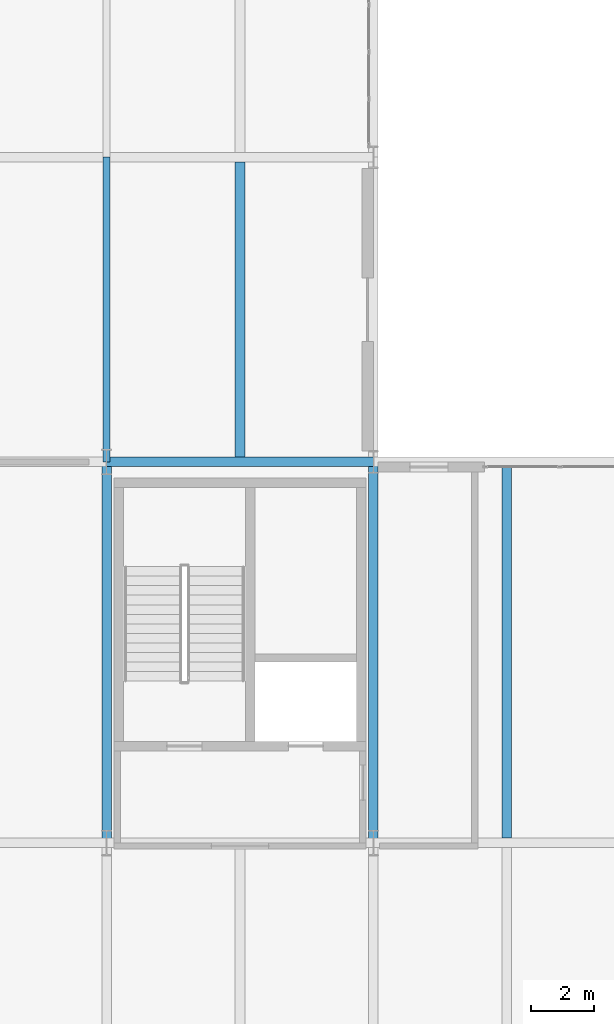
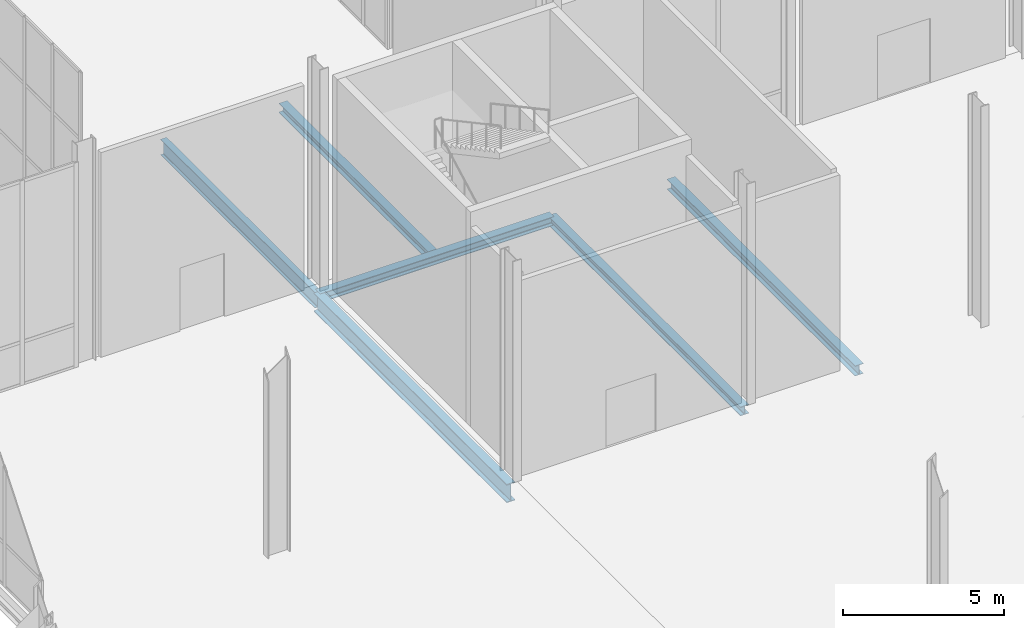
# One storey, part 50 of 131: 6 beams.
"""IFC4 building model written with IfcOpenShell, lengths in metres."""

from ifc_helpers import new_model, si_unit, direction, frame, origin, origin_2d, place, context, subcontext, project, spatial, i_section, extrude, material, material_profile, profile_set, type_object, element, save


model = new_model("IFC4")

# Units and contexts
model_context = context("Model", 3, precision=1e-05, world=origin(), true_north=direction((0.0, 1.0)))
body_context = subcontext(model_context, "Body", "Model", "MODEL_VIEW")
ifc_project = project(units=[si_unit("LENGTHUNIT", "METRE"), si_unit("AREAUNIT", "SQUARE_METRE"), si_unit("VOLUMEUNIT", "CUBIC_METRE"), si_unit("PLANEANGLEUNIT", "RADIAN"), si_unit("MASSUNIT", "GRAM", prefix="KILO")], contexts=[model_context])

# Site, building, storey
site_placement = place(None, origin())
site = spatial("IfcSite", under=ifc_project, at=site_placement, CompositionType="ELEMENT")
building_placement = place(site_placement, origin())
building = spatial("IfcBuilding", under=site, at=building_placement, Name="Veltarok Museum of Natural Sciences", CompositionType="ELEMENT")
storey_placement = place(building_placement, origin())
storey = spatial("IfcBuildingStorey", under=building, at=storey_placement, Name="L00", CompositionType="ELEMENT", Elevation=0.0)

# Beams
ifc_material = material(Name="Steel S355J2", Category="steel")
ifc_material_profile_1 = material_profile(ifc_material, i_section(OverallWidth=0.300048828125, OverallDepth=0.389892578125, WebThickness=0.010986328125, FlangeThickness=0.01904296875, FilletRadius=0.027099609375, at=origin_2d()), Name="HEA 400")
ifc_profile_set_1 = profile_set([ifc_material_profile_1], Name="Steel S355J2")
beam_type_1 = type_object("IfcBeamType", Name="Heavy Archive Joist HEA 400", PredefinedType="JOIST", material=ifc_profile_set_1)
beam_1_placement = place(storey_placement, frame((52.60009765625, 60.14794921875, -0.4951171875), z_axis=(0.0, 1.0, 0.0), x_axis=(-1.0, 0.0, 0.0)))
element("IfcBeam", 1, at=beam_1_placement, inside=storey, type_object=beam_type_1, Name="Secondary Joist BM-J06 L00 6-7/G-H.1", PredefinedType="JOIST", context=body_context, shape_type="SweptSolid", body=[
    extrude(i_section(OverallWidth=0.300048828125, OverallDepth=0.389892578125, WebThickness=0.010986328125, FlangeThickness=0.01904296875, FilletRadius=0.027099609375, at=origin_2d()), origin(), (0.0, 0.0, 1.0), 11.7041015625),
])
ifc_material_profile_2 = material_profile(ifc_material, i_section(OverallWidth=0.300048828125, OverallDepth=0.35009765625, WebThickness=0.010009765625, FlangeThickness=0.017578125, FilletRadius=0.027099609375, at=origin_2d()), Name="HEA 360")
ifc_profile_set_2 = profile_set([ifc_material_profile_2], Name="Steel S355J2")
beam_type_2 = type_object("IfcBeamType", Name="Long-Span Gallery Joist HEA 360", PredefinedType="JOIST", material=ifc_profile_set_2)
beam_2_placement = place(storey_placement, frame((44.199951171875, 72.14794921875, -0.47509765625), z_axis=(0.0, 1.0, 0.0), x_axis=(-1.0, 0.0, 0.0)))
element("IfcBeam", 2, at=beam_2_placement, inside=storey, type_object=beam_type_2, Name="Secondary Joist BM-J07 L00 5-6/H-J.1", PredefinedType="JOIST", context=body_context, shape_type="SweptSolid", body=[
    extrude(i_section(OverallWidth=0.300048828125, OverallDepth=0.35009765625, WebThickness=0.010009765625, FlangeThickness=0.017578125, FilletRadius=0.027099609375, at=origin_2d()), origin(), (0.0, 0.0, 1.0), 9.303955078125),
])
ifc_material_profile_3 = material_profile(ifc_material, i_section(OverallWidth=0.300048828125, OverallDepth=0.699951171875, WebThickness=0.01708984375, FlangeThickness=0.031982421875, FilletRadius=0.027099609375, at=origin_2d()), Name="HEB 700")
ifc_profile_set_3 = profile_set([ifc_material_profile_3], Name="Steel S355J2")
beam_type_3 = type_object("IfcBeamType", Name="Long-Span Hall Girder HEB 700", PredefinedType="BEAM", material=ifc_profile_set_3)
beam_3_placement = place(storey_placement, frame((40.0, 60.0, -0.64990234375), z_axis=(0.0, 1.0, 0.0), x_axis=(-1.0, 0.0, 0.0)))
element("IfcBeam", 3, at=beam_3_placement, inside=storey, type_object=beam_type_3, Name="Beam BM-G01 L00 5/G-H", PredefinedType="BEAM", context=body_context, shape_type="SweptSolid", body=[
    extrude(i_section(OverallWidth=0.300048828125, OverallDepth=0.699951171875, WebThickness=0.01708984375, FlangeThickness=0.031982421875, FilletRadius=0.027099609375, at=origin_2d()), origin(), (0.0, 0.0, 1.0), 12.0),
])
ifc_material_profile_4 = material_profile(ifc_material, i_section(OverallWidth=0.300048828125, OverallDepth=0.340087890625, WebThickness=0.011962890625, FlangeThickness=0.021484375, FilletRadius=0.027099609375, at=origin_2d()), Name="HEB 340")
ifc_profile_set_4 = profile_set([ifc_material_profile_4], Name="Steel S355J2")
beam_type_4 = type_object("IfcBeamType", Name="Perimeter Bridge Spandrel HEB 340", PredefinedType="SPANDREL", material=ifc_profile_set_4)
beam_4_placement = place(storey_placement, frame((40.0, 72.0, -0.469970703125), z_axis=(1.0, 0.0, 0.0), x_axis=(0.0, 1.0, 0.0)))
element("IfcBeam", 4, at=beam_4_placement, inside=storey, type_object=beam_type_4, Name="Beam BM-SP07 L00 5-6/H", PredefinedType="SPANDREL", context=body_context, shape_type="SweptSolid", body=[
    extrude(i_section(OverallWidth=0.300048828125, OverallDepth=0.340087890625, WebThickness=0.011962890625, FlangeThickness=0.021484375, FilletRadius=0.027099609375, at=origin_2d()), origin(), (0.0, 0.0, 1.0), 8.39990234375),
])
beam_5_placement = place(storey_placement, frame((48.39990234375, 60.0, -0.469970703125), z_axis=(0.0, 1.0, 0.0), x_axis=(-1.0, 0.0, 0.0)))
element("IfcBeam", 5, at=beam_5_placement, inside=storey, type_object=beam_type_4, Name="Beam BM-SP07 L00 6/G-H", PredefinedType="SPANDREL", context=body_context, shape_type="SweptSolid", body=[
    extrude(i_section(OverallWidth=0.300048828125, OverallDepth=0.340087890625, WebThickness=0.011962890625, FlangeThickness=0.021484375, FilletRadius=0.027099609375, at=origin_2d()), origin(), (0.0, 0.0, 1.0), 12.0),
])
ifc_material_profile_5 = material_profile(ifc_material, i_section(OverallWidth=0.219970703125, OverallDepth=0.60009765625, WebThickness=0.011962890625, FlangeThickness=0.01904296875, FilletRadius=0.02392578125, at=origin_2d()), Name="IPE 600")
ifc_profile_set_5 = profile_set([ifc_material_profile_5], Name="Steel S355J2")
beam_type_5 = type_object("IfcBeamType", Name="Primary Museum Girder IPE 600", PredefinedType="BEAM", material=ifc_profile_set_5)
beam_6_placement = place(storey_placement, frame((40.0, 72.0, -0.60009765625), z_axis=(0.0, 1.0, 0.0), x_axis=(-1.0, 0.0, 0.0)))
element("IfcBeam", 6, at=beam_6_placement, inside=storey, type_object=beam_type_5, Name="Beam BM-G02 L00 5/H-J", PredefinedType="BEAM", context=body_context, shape_type="SweptSolid", body=[
    extrude(i_section(OverallWidth=0.219970703125, OverallDepth=0.60009765625, WebThickness=0.011962890625, FlangeThickness=0.01904296875, FilletRadius=0.02392578125, at=origin_2d()), origin(), (0.0, 0.0, 1.0), 9.60009765625),
])

save(model, "model.ifc")
